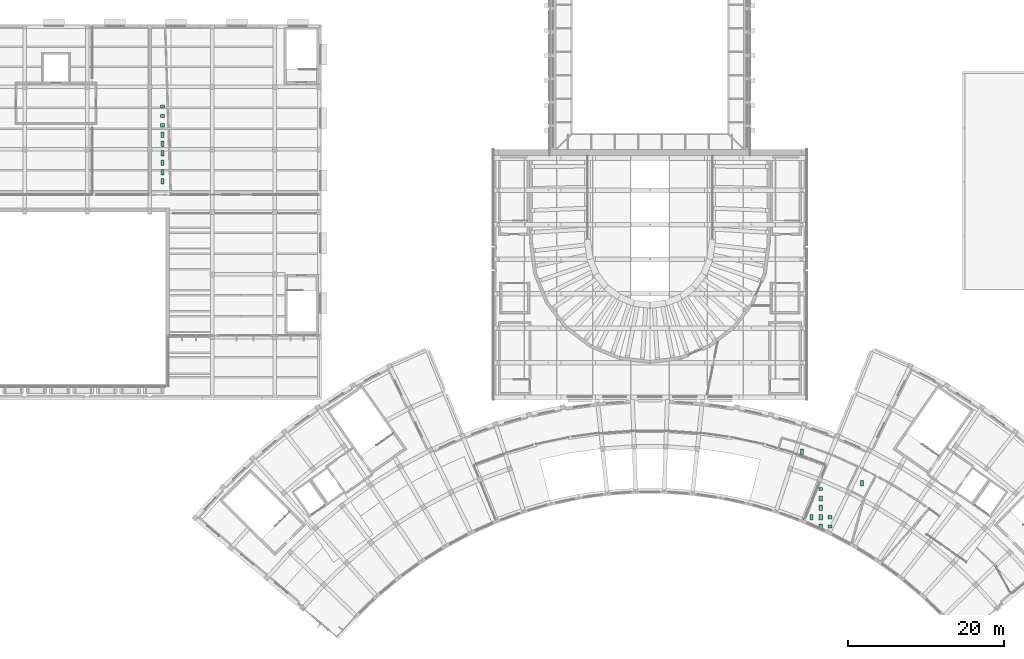
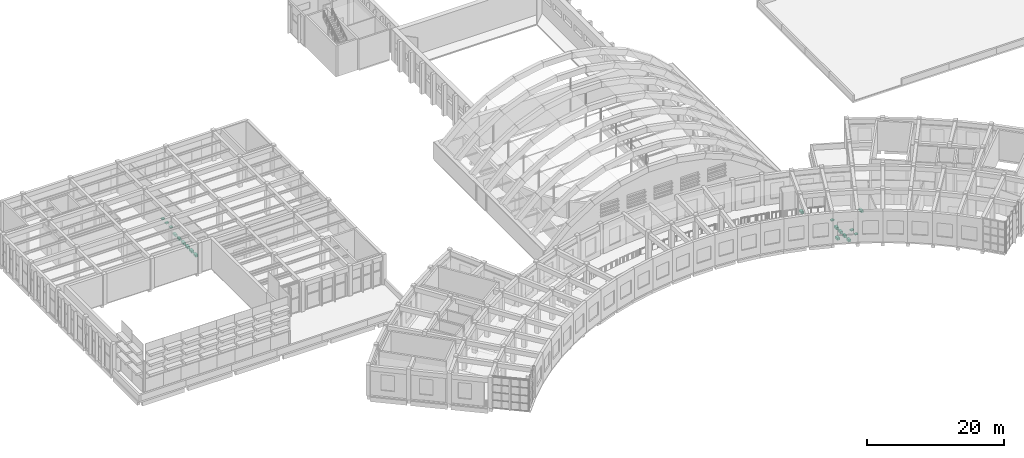
# One storey, part 94 of 94: 19 sanitary terminals.
"""IFC4 building model written with IfcOpenShell, lengths in metres."""

from ifc_helpers import new_model, si_unit, direction, frame, origin, origin_2d, place, context, subcontext, project, spatial, rectangle, extrude, material, type_object, element, save


model = new_model("IFC4")

# Units and contexts
model_context = context("Model", 3, precision=1e-05, world=origin(), true_north=direction((0.0, 1.0)))
body_context = subcontext(model_context, "Body", "Model", "MODEL_VIEW")
ifc_project = project(units=[si_unit("LENGTHUNIT", "METRE"), si_unit("AREAUNIT", "SQUARE_METRE"), si_unit("VOLUMEUNIT", "CUBIC_METRE"), si_unit("PLANEANGLEUNIT", "RADIAN"), si_unit("MASSUNIT", "GRAM", prefix="KILO")], contexts=[model_context])

# Site, building, storey
site_placement = place(None, origin())
site = spatial("IfcSite", under=ifc_project, at=site_placement, CompositionType="ELEMENT")
building_placement = place(site_placement, origin())
building = spatial("IfcBuilding", under=site, at=building_placement, Name="Lunette Opera House", CompositionType="ELEMENT")
storey_placement = place(building_placement, frame((0.0, 0.0, 22.5)))
storey = spatial("IfcBuildingStorey", under=building, at=storey_placement, Name="L04", CompositionType="ELEMENT", Elevation=22.5)

# Sanitary terminals
ifc_material_1 = material(Name="Ceramic")
sanitary_terminal_type_1 = type_object("IfcSanitaryTerminalType", Name="WASH BASIN", PredefinedType="WASHHANDBASIN", material=ifc_material_1)
for number, where, z_axis, x_axis, name in (
    (1, (117.85498046875, 52.534912109375, 0.7001953125), (0.0, 0.0, 1.0), (1.0, 0.0, 0.0), "Wash basin Public WC L04"),
    (2, (119.054931640625, 47.735107421875, 0.7001953125), (0.0, 0.0, 1.0), (1.0, 0.0, 0.0), "Wash basin Public WC L04"),
    (3, (119.054931640625, 48.93505859375, 0.7001953125), (0.0, 0.0, 1.0), (1.0, 0.0, 0.0), "Wash basin Public WC L04"),
    (4, (33.631103515625, 99.10009765625, 0.7001953125), (0.0, 0.0, 1.0), (1.0, 0.0, 0.0), "Wash basin Rehearsal Wing WC L04"),
    (5, (33.631103515625, 100.300048828125, 0.7001953125), (0.0, 0.0, 1.0), (1.0, 0.0, 0.0), "Wash basin Rehearsal Wing WC L04"),
    (6, (33.631103515625, 101.5, 0.7001953125), (0.0, 0.0, 1.0), (1.0, 0.0, 0.0), "Wash basin Rehearsal Wing WC L04"),
):
    element("IfcSanitaryTerminal", number, at=place(storey_placement, frame(where, z_axis=z_axis, x_axis=x_axis)), inside=storey, type_object=sanitary_terminal_type_1, Name=name, PredefinedType="WASHHANDBASIN", context=body_context, shape_type="SweptSolid", body=[
        extrude(rectangle(XDim=0.5, YDim=0.39990234375, at=origin_2d()), origin(), (0.0, 0.0, 1.0), 0.199951171875),
    ])
ifc_material_2 = material(Name="Ceramic")
sanitary_terminal_type_2 = type_object("IfcSanitaryTerminalType", Name="WC PAN", PredefinedType="TOILETPAN", material=ifc_material_2)
for number, where, z_axis, x_axis, name in (
    (7, (123.117919921875, 53.291015625, 0.0), (0.0, 0.0, 1.0), (1.0, 0.0, 0.0), "WC pan Accessible WC L04"),
    (8, (115.455078125, 57.3349609375, 0.0), (0.0, 0.0, 1.0), (1.0, 0.0, 0.0), "WC pan Public WC L04"),
    (9, (116.655029296875, 48.93505859375, 0.0), (0.0, 0.0, 1.0), (1.0, 0.0, 0.0), "WC pan Public WC L04"),
    (10, (117.85498046875, 47.735107421875, 0.0), (0.0, 0.0, 1.0), (1.0, 0.0, 0.0), "WC pan Public WC L04"),
    (11, (117.85498046875, 48.93505859375, 0.0), (0.0, 0.0, 1.0), (1.0, 0.0, 0.0), "WC pan Public WC L04"),
    (12, (117.85498046875, 50.135009765625, 0.0), (0.0, 0.0, 1.0), (1.0, 0.0, 0.0), "WC pan Public WC L04"),
    (13, (117.85498046875, 51.3349609375, 0.0), (0.0, 0.0, 1.0), (1.0, 0.0, 0.0), "WC pan Public WC L04"),
    (14, (33.631103515625, 91.89990234375, 0.0), (0.0, 0.0, 1.0), (1.0, 0.0, 0.0), "WC pan Rehearsal Wing WC L04"),
    (15, (33.631103515625, 93.10009765625, 0.0), (0.0, 0.0, 1.0), (1.0, 0.0, 0.0), "WC pan Rehearsal Wing WC L04"),
    (16, (33.631103515625, 94.300048828125, 0.0), (0.0, 0.0, 1.0), (1.0, 0.0, 0.0), "WC pan Rehearsal Wing WC L04"),
    (17, (33.631103515625, 95.5, 0.0), (0.0, 0.0, 1.0), (1.0, 0.0, 0.0), "WC pan Rehearsal Wing WC L04"),
    (18, (33.631103515625, 96.699951171875, 0.0), (0.0, 0.0, 1.0), (1.0, 0.0, 0.0), "WC pan Rehearsal Wing WC L04"),
    (19, (33.631103515625, 97.89990234375, 0.0), (0.0, 0.0, 1.0), (1.0, 0.0, 0.0), "WC pan Rehearsal Wing WC L04"),
):
    element("IfcSanitaryTerminal", number, at=place(storey_placement, frame(where, z_axis=z_axis, x_axis=x_axis)), inside=storey, type_object=sanitary_terminal_type_2, Name=name, PredefinedType="TOILETPAN", context=body_context, shape_type="SweptSolid", body=[
        extrude(rectangle(XDim=0.39990234375, YDim=0.699951171875, at=origin_2d()), origin(), (0.0, 0.0, 1.0), 0.39990234375),
    ])

save(model, "model.ifc")
